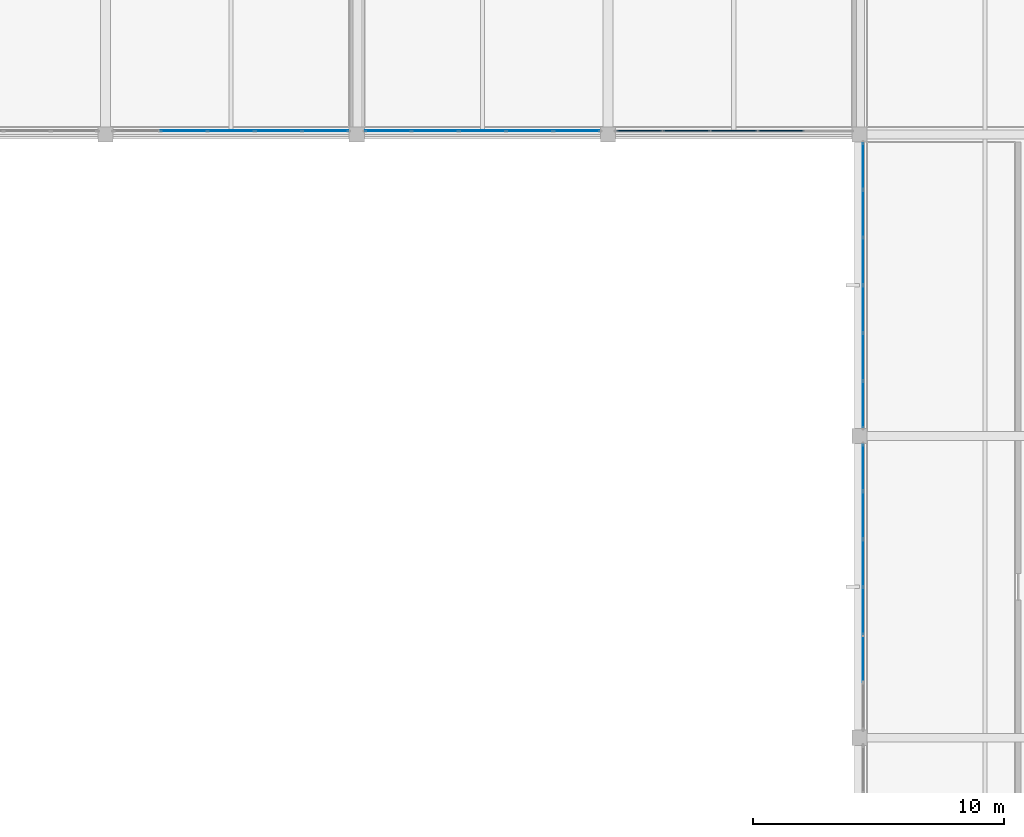
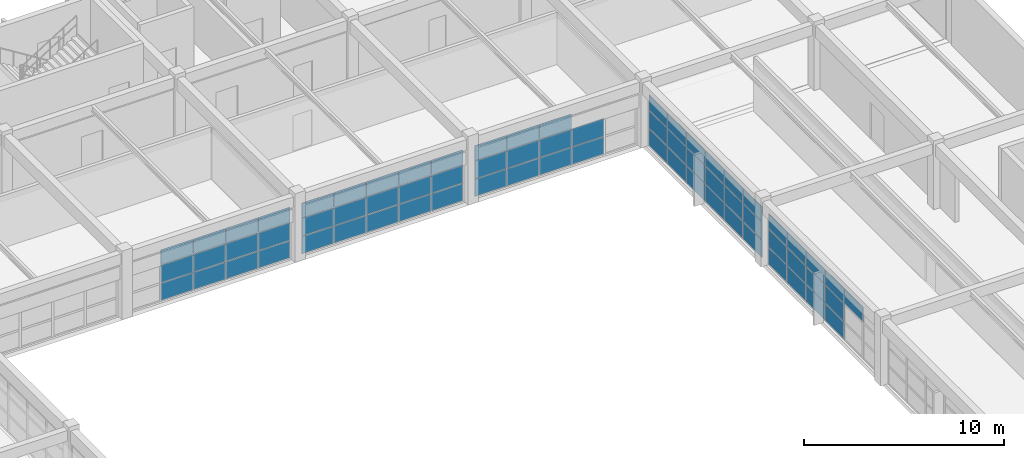
# One storey, part 17 of 28: 69 plates, 5 elements without a shape of their own.
"""IFC4 building model written with IfcOpenShell, lengths in metres."""

from ifc_helpers import new_model, si_unit, direction, frame, origin, origin_2d, place, context, subcontext, project, spatial, rectangle, extrude, material, layer, layer_set, type_object, element, aggregate, save


model = new_model("IFC4")

# Units and contexts
model_context = context("Model", 3, precision=1e-05, world=origin(), true_north=direction((0.0, 1.0)))
body_context = subcontext(model_context, "Body", "Model", "MODEL_VIEW")
ifc_project = project(units=[si_unit("LENGTHUNIT", "METRE"), si_unit("AREAUNIT", "SQUARE_METRE"), si_unit("VOLUMEUNIT", "CUBIC_METRE"), si_unit("PLANEANGLEUNIT", "RADIAN"), si_unit("MASSUNIT", "GRAM", prefix="KILO")], contexts=[model_context])

# Site, building, storey
site_placement = place(None, origin())
site = spatial("IfcSite", under=ifc_project, at=site_placement, CompositionType="ELEMENT")
building_placement = place(site_placement, origin())
building = spatial("IfcBuilding", under=site, at=building_placement, Name="Kivolera Central Railway Station", CompositionType="ELEMENT")
storey_placement = place(building_placement, frame((0.0, 0.0, 18.60009765625)))
storey = spatial("IfcBuildingStorey", under=building, at=storey_placement, Name="L04", CompositionType="ELEMENT", Elevation=18.60009765625)

# Curtain wall, plates
ifc_material_1 = material(Name="Anodised aluminium", Category="aluminium")
ifc_layer_1 = layer(ifc_material_1, 0.179931640625, Name="Anodised aluminium")
ifc_layer_set_1 = layer_set([ifc_layer_1], Name="Anodised aluminium")
curtain_wall_type_1 = type_object("IfcCurtainWallType", Name="CW-SYS-32", PredefinedType="NOTDEFINED", material=ifc_layer_set_1)
curtain_wall_1_placement = place(storey_placement, origin())
curtain_wall_1 = element("IfcCurtainWall", 1, at=curtain_wall_1_placement, inside=storey, type_object=curtain_wall_type_1, Name="L04 Curtain Wall CW-L04-CRTE-H", PredefinedType="NOTDEFINED")
ifc_material_2 = material(Name="Double low-E laminated glass", Category="glass")
ifc_layer_2 = layer(ifc_material_2, 0.030029296875, Name="Double low-E laminated glass")
ifc_layer_set_2 = layer_set([ifc_layer_2], Name="Double low-E laminated glass")
plate_type_1 = type_object("IfcPlateType", Name="CWP-GLZ-2", PredefinedType="CURTAIN_PANEL", material=ifc_layer_set_2)
plate_1_placement = place(storey_placement, frame((178.14501953125, 93.1474609375, 2.24951171875), z_axis=(0.0, 0.0, 1.0), x_axis=(0.0, 1.0, 0.0)))
plate_1 = element("IfcPlate", 2, at=plate_1_placement, type_object=plate_type_1, Name="CW-32 panel 2.3", PredefinedType="CURTAIN_PANEL", context=body_context, shape_type="SweptSolid", body=[
    extrude(rectangle(XDim=1.86572265625, YDim=0.030029296875, at=origin_2d()), origin(), (0.0, 0.0, 1.0), 0.890380859375),
])
plate_2_placement = place(storey_placement, frame((178.14501953125, 95.049072265625, 0.0478515625), z_axis=(0.0, 0.0, 1.0), x_axis=(0.0, 1.0, 0.0)))
plate_2 = element("IfcPlate", 3, at=plate_2_placement, type_object=plate_type_1, Name="CW-32 panel 3.1", PredefinedType="CURTAIN_PANEL", context=body_context, shape_type="SweptSolid", body=[
    extrude(rectangle(XDim=1.86572265625, YDim=0.030029296875, at=origin_2d()), origin(), (0.0, 0.0, 1.0), 1.0498046875),
])
plate_3_placement = place(storey_placement, frame((178.14501953125, 95.049072265625, 1.1337890625), z_axis=(0.0, 0.0, 1.0), x_axis=(0.0, 1.0, 0.0)))
plate_3 = element("IfcPlate", 4, at=plate_3_placement, type_object=plate_type_1, Name="CW-32 panel 3.2", PredefinedType="CURTAIN_PANEL", context=body_context, shape_type="SweptSolid", body=[
    extrude(rectangle(XDim=1.86572265625, YDim=0.030029296875, at=origin_2d()), origin(), (0.0, 0.0, 1.0), 1.079833984375),
])
plate_4_placement = place(storey_placement, frame((178.14501953125, 95.049072265625, 2.24951171875), z_axis=(0.0, 0.0, 1.0), x_axis=(0.0, 1.0, 0.0)))
plate_4 = element("IfcPlate", 5, at=plate_4_placement, type_object=plate_type_1, Name="CW-32 panel 3.3", PredefinedType="CURTAIN_PANEL", context=body_context, shape_type="SweptSolid", body=[
    extrude(rectangle(XDim=1.86572265625, YDim=0.030029296875, at=origin_2d()), origin(), (0.0, 0.0, 1.0), 0.890380859375),
])
plate_5_placement = place(storey_placement, frame((178.14501953125, 96.950927734375, 0.0478515625), z_axis=(0.0, 0.0, 1.0), x_axis=(0.0, 1.0, 0.0)))
plate_5 = element("IfcPlate", 6, at=plate_5_placement, type_object=plate_type_1, Name="CW-32 panel 4.1", PredefinedType="CURTAIN_PANEL", context=body_context, shape_type="SweptSolid", body=[
    extrude(rectangle(XDim=1.86572265625, YDim=0.030029296875, at=origin_2d()), origin(), (0.0, 0.0, 1.0), 1.0498046875),
])
plate_6_placement = place(storey_placement, frame((178.14501953125, 96.950927734375, 1.1337890625), z_axis=(0.0, 0.0, 1.0), x_axis=(0.0, 1.0, 0.0)))
plate_6 = element("IfcPlate", 7, at=plate_6_placement, type_object=plate_type_1, Name="CW-32 panel 4.2", PredefinedType="CURTAIN_PANEL", context=body_context, shape_type="SweptSolid", body=[
    extrude(rectangle(XDim=1.86572265625, YDim=0.030029296875, at=origin_2d()), origin(), (0.0, 0.0, 1.0), 1.079833984375),
])
plate_7_placement = place(storey_placement, frame((178.14501953125, 96.950927734375, 2.24951171875), z_axis=(0.0, 0.0, 1.0), x_axis=(0.0, 1.0, 0.0)))
plate_7 = element("IfcPlate", 8, at=plate_7_placement, type_object=plate_type_1, Name="CW-32 panel 4.3", PredefinedType="CURTAIN_PANEL", context=body_context, shape_type="SweptSolid", body=[
    extrude(rectangle(XDim=1.86572265625, YDim=0.030029296875, at=origin_2d()), origin(), (0.0, 0.0, 1.0), 0.890380859375),
])
plate_8_placement = place(storey_placement, frame((178.14501953125, 98.8525390625, 0.0478515625), z_axis=(0.0, 0.0, 1.0), x_axis=(0.0, 1.0, 0.0)))
plate_8 = element("IfcPlate", 9, at=plate_8_placement, type_object=plate_type_1, Name="CW-32 panel 5.1", PredefinedType="CURTAIN_PANEL", context=body_context, shape_type="SweptSolid", body=[
    extrude(rectangle(XDim=1.86572265625, YDim=0.030029296875, at=origin_2d()), origin(), (0.0, 0.0, 1.0), 1.0498046875),
])
plate_9_placement = place(storey_placement, frame((178.14501953125, 98.8525390625, 1.1337890625), z_axis=(0.0, 0.0, 1.0), x_axis=(0.0, 1.0, 0.0)))
plate_9 = element("IfcPlate", 10, at=plate_9_placement, type_object=plate_type_1, Name="CW-32 panel 5.2", PredefinedType="CURTAIN_PANEL", context=body_context, shape_type="SweptSolid", body=[
    extrude(rectangle(XDim=1.86572265625, YDim=0.030029296875, at=origin_2d()), origin(), (0.0, 0.0, 1.0), 1.079833984375),
])
plate_10_placement = place(storey_placement, frame((178.14501953125, 98.8525390625, 2.24951171875), z_axis=(0.0, 0.0, 1.0), x_axis=(0.0, 1.0, 0.0)))
plate_10 = element("IfcPlate", 11, at=plate_10_placement, type_object=plate_type_1, Name="CW-32 panel 5.3", PredefinedType="CURTAIN_PANEL", context=body_context, shape_type="SweptSolid", body=[
    extrude(rectangle(XDim=1.86572265625, YDim=0.030029296875, at=origin_2d()), origin(), (0.0, 0.0, 1.0), 0.890380859375),
])
plate_11_placement = place(storey_placement, frame((178.14501953125, 100.7392578125, 0.0478515625), z_axis=(0.0, 0.0, 1.0), x_axis=(0.0, 1.0, 0.0)))
plate_11 = element("IfcPlate", 12, at=plate_11_placement, type_object=plate_type_1, Name="CW-32 panel 6.1", PredefinedType="CURTAIN_PANEL", context=body_context, shape_type="SweptSolid", body=[
    extrude(rectangle(XDim=1.835693359375, YDim=0.030029296875, at=origin_2d()), origin(), (0.0, 0.0, 1.0), 1.0498046875),
])
plate_12_placement = place(storey_placement, frame((178.14501953125, 100.7392578125, 1.1337890625), z_axis=(0.0, 0.0, 1.0), x_axis=(0.0, 1.0, 0.0)))
plate_12 = element("IfcPlate", 13, at=plate_12_placement, type_object=plate_type_1, Name="CW-32 panel 6.2", PredefinedType="CURTAIN_PANEL", context=body_context, shape_type="SweptSolid", body=[
    extrude(rectangle(XDim=1.835693359375, YDim=0.030029296875, at=origin_2d()), origin(), (0.0, 0.0, 1.0), 1.079833984375),
])
plate_13_placement = place(storey_placement, frame((178.14501953125, 100.7392578125, 2.24951171875), z_axis=(0.0, 0.0, 1.0), x_axis=(0.0, 1.0, 0.0)))
plate_13 = element("IfcPlate", 14, at=plate_13_placement, type_object=plate_type_1, Name="CW-32 panel 6.3", PredefinedType="CURTAIN_PANEL", context=body_context, shape_type="SweptSolid", body=[
    extrude(rectangle(XDim=1.835693359375, YDim=0.030029296875, at=origin_2d()), origin(), (0.0, 0.0, 1.0), 0.890380859375),
])
aggregate(curtain_wall_1, [plate_1, plate_2, plate_3, plate_4, plate_5, plate_6, plate_7, plate_8, plate_9, plate_10, plate_11, plate_12, plate_13])

curtain_wall_2_placement = place(storey_placement, origin())
curtain_wall_2 = element("IfcCurtainWall", 15, at=curtain_wall_2_placement, inside=storey, type_object=curtain_wall_type_1, Name="L04 Curtain Wall CW-L04-CRTE-J", PredefinedType="NOTDEFINED")
plate_14_placement = place(storey_placement, frame((178.14501953125, 103.2607421875, 0.0478515625), z_axis=(0.0, 0.0, 1.0), x_axis=(0.0, 1.0, 0.0)))
plate_14 = element("IfcPlate", 16, at=plate_14_placement, type_object=plate_type_1, Name="CW-32 panel 1.1", PredefinedType="CURTAIN_PANEL", context=body_context, shape_type="SweptSolid", body=[
    extrude(rectangle(XDim=1.835693359375, YDim=0.030029296875, at=origin_2d()), origin(), (0.0, 0.0, 1.0), 1.0498046875),
])
plate_15_placement = place(storey_placement, frame((178.14501953125, 103.2607421875, 1.1337890625), z_axis=(0.0, 0.0, 1.0), x_axis=(0.0, 1.0, 0.0)))
plate_15 = element("IfcPlate", 17, at=plate_15_placement, type_object=plate_type_1, Name="CW-32 panel 1.2", PredefinedType="CURTAIN_PANEL", context=body_context, shape_type="SweptSolid", body=[
    extrude(rectangle(XDim=1.835693359375, YDim=0.030029296875, at=origin_2d()), origin(), (0.0, 0.0, 1.0), 1.079833984375),
])
plate_16_placement = place(storey_placement, frame((178.14501953125, 103.2607421875, 2.24951171875), z_axis=(0.0, 0.0, 1.0), x_axis=(0.0, 1.0, 0.0)))
plate_16 = element("IfcPlate", 18, at=plate_16_placement, type_object=plate_type_1, Name="CW-32 panel 1.3", PredefinedType="CURTAIN_PANEL", context=body_context, shape_type="SweptSolid", body=[
    extrude(rectangle(XDim=1.835693359375, YDim=0.030029296875, at=origin_2d()), origin(), (0.0, 0.0, 1.0), 0.890380859375),
])
plate_17_placement = place(storey_placement, frame((178.14501953125, 105.1474609375, 0.0478515625), z_axis=(0.0, 0.0, 1.0), x_axis=(0.0, 1.0, 0.0)))
plate_17 = element("IfcPlate", 19, at=plate_17_placement, type_object=plate_type_1, Name="CW-32 panel 2.1", PredefinedType="CURTAIN_PANEL", context=body_context, shape_type="SweptSolid", body=[
    extrude(rectangle(XDim=1.86572265625, YDim=0.030029296875, at=origin_2d()), origin(), (0.0, 0.0, 1.0), 1.0498046875),
])
plate_18_placement = place(storey_placement, frame((178.14501953125, 105.1474609375, 1.1337890625), z_axis=(0.0, 0.0, 1.0), x_axis=(0.0, 1.0, 0.0)))
plate_18 = element("IfcPlate", 20, at=plate_18_placement, type_object=plate_type_1, Name="CW-32 panel 2.2", PredefinedType="CURTAIN_PANEL", context=body_context, shape_type="SweptSolid", body=[
    extrude(rectangle(XDim=1.86572265625, YDim=0.030029296875, at=origin_2d()), origin(), (0.0, 0.0, 1.0), 1.079833984375),
])
plate_19_placement = place(storey_placement, frame((178.14501953125, 105.1474609375, 2.24951171875), z_axis=(0.0, 0.0, 1.0), x_axis=(0.0, 1.0, 0.0)))
plate_19 = element("IfcPlate", 21, at=plate_19_placement, type_object=plate_type_1, Name="CW-32 panel 2.3", PredefinedType="CURTAIN_PANEL", context=body_context, shape_type="SweptSolid", body=[
    extrude(rectangle(XDim=1.86572265625, YDim=0.030029296875, at=origin_2d()), origin(), (0.0, 0.0, 1.0), 0.890380859375),
])
plate_20_placement = place(storey_placement, frame((178.14501953125, 107.049072265625, 0.0478515625), z_axis=(0.0, 0.0, 1.0), x_axis=(0.0, 1.0, 0.0)))
plate_20 = element("IfcPlate", 22, at=plate_20_placement, type_object=plate_type_1, Name="CW-32 panel 3.1", PredefinedType="CURTAIN_PANEL", context=body_context, shape_type="SweptSolid", body=[
    extrude(rectangle(XDim=1.86572265625, YDim=0.030029296875, at=origin_2d()), origin(), (0.0, 0.0, 1.0), 1.0498046875),
])
plate_21_placement = place(storey_placement, frame((178.14501953125, 107.049072265625, 1.1337890625), z_axis=(0.0, 0.0, 1.0), x_axis=(0.0, 1.0, 0.0)))
plate_21 = element("IfcPlate", 23, at=plate_21_placement, type_object=plate_type_1, Name="CW-32 panel 3.2", PredefinedType="CURTAIN_PANEL", context=body_context, shape_type="SweptSolid", body=[
    extrude(rectangle(XDim=1.86572265625, YDim=0.030029296875, at=origin_2d()), origin(), (0.0, 0.0, 1.0), 1.079833984375),
])
plate_22_placement = place(storey_placement, frame((178.14501953125, 107.049072265625, 2.24951171875), z_axis=(0.0, 0.0, 1.0), x_axis=(0.0, 1.0, 0.0)))
plate_22 = element("IfcPlate", 24, at=plate_22_placement, type_object=plate_type_1, Name="CW-32 panel 3.3", PredefinedType="CURTAIN_PANEL", context=body_context, shape_type="SweptSolid", body=[
    extrude(rectangle(XDim=1.86572265625, YDim=0.030029296875, at=origin_2d()), origin(), (0.0, 0.0, 1.0), 0.890380859375),
])
plate_23_placement = place(storey_placement, frame((178.14501953125, 108.950927734375, 0.0478515625), z_axis=(0.0, 0.0, 1.0), x_axis=(0.0, 1.0, 0.0)))
plate_23 = element("IfcPlate", 25, at=plate_23_placement, type_object=plate_type_1, Name="CW-32 panel 4.1", PredefinedType="CURTAIN_PANEL", context=body_context, shape_type="SweptSolid", body=[
    extrude(rectangle(XDim=1.86572265625, YDim=0.030029296875, at=origin_2d()), origin(), (0.0, 0.0, 1.0), 1.0498046875),
])
plate_24_placement = place(storey_placement, frame((178.14501953125, 108.950927734375, 1.1337890625), z_axis=(0.0, 0.0, 1.0), x_axis=(0.0, 1.0, 0.0)))
plate_24 = element("IfcPlate", 26, at=plate_24_placement, type_object=plate_type_1, Name="CW-32 panel 4.2", PredefinedType="CURTAIN_PANEL", context=body_context, shape_type="SweptSolid", body=[
    extrude(rectangle(XDim=1.86572265625, YDim=0.030029296875, at=origin_2d()), origin(), (0.0, 0.0, 1.0), 1.079833984375),
])
plate_25_placement = place(storey_placement, frame((178.14501953125, 108.950927734375, 2.24951171875), z_axis=(0.0, 0.0, 1.0), x_axis=(0.0, 1.0, 0.0)))
plate_25 = element("IfcPlate", 27, at=plate_25_placement, type_object=plate_type_1, Name="CW-32 panel 4.3", PredefinedType="CURTAIN_PANEL", context=body_context, shape_type="SweptSolid", body=[
    extrude(rectangle(XDim=1.86572265625, YDim=0.030029296875, at=origin_2d()), origin(), (0.0, 0.0, 1.0), 0.890380859375),
])
plate_26_placement = place(storey_placement, frame((178.14501953125, 110.8525390625, 0.0478515625), z_axis=(0.0, 0.0, 1.0), x_axis=(0.0, 1.0, 0.0)))
plate_26 = element("IfcPlate", 28, at=plate_26_placement, type_object=plate_type_1, Name="CW-32 panel 5.1", PredefinedType="CURTAIN_PANEL", context=body_context, shape_type="SweptSolid", body=[
    extrude(rectangle(XDim=1.86572265625, YDim=0.030029296875, at=origin_2d()), origin(), (0.0, 0.0, 1.0), 1.0498046875),
])
plate_27_placement = place(storey_placement, frame((178.14501953125, 110.8525390625, 1.1337890625), z_axis=(0.0, 0.0, 1.0), x_axis=(0.0, 1.0, 0.0)))
plate_27 = element("IfcPlate", 29, at=plate_27_placement, type_object=plate_type_1, Name="CW-32 panel 5.2", PredefinedType="CURTAIN_PANEL", context=body_context, shape_type="SweptSolid", body=[
    extrude(rectangle(XDim=1.86572265625, YDim=0.030029296875, at=origin_2d()), origin(), (0.0, 0.0, 1.0), 1.079833984375),
])
plate_28_placement = place(storey_placement, frame((178.14501953125, 110.8525390625, 2.24951171875), z_axis=(0.0, 0.0, 1.0), x_axis=(0.0, 1.0, 0.0)))
plate_28 = element("IfcPlate", 30, at=plate_28_placement, type_object=plate_type_1, Name="CW-32 panel 5.3", PredefinedType="CURTAIN_PANEL", context=body_context, shape_type="SweptSolid", body=[
    extrude(rectangle(XDim=1.86572265625, YDim=0.030029296875, at=origin_2d()), origin(), (0.0, 0.0, 1.0), 0.890380859375),
])
plate_29_placement = place(storey_placement, frame((178.14501953125, 112.7392578125, 0.0478515625), z_axis=(0.0, 0.0, 1.0), x_axis=(0.0, 1.0, 0.0)))
plate_29 = element("IfcPlate", 31, at=plate_29_placement, type_object=plate_type_1, Name="CW-32 panel 6.1", PredefinedType="CURTAIN_PANEL", context=body_context, shape_type="SweptSolid", body=[
    extrude(rectangle(XDim=1.835693359375, YDim=0.030029296875, at=origin_2d()), origin(), (0.0, 0.0, 1.0), 1.0498046875),
])
plate_30_placement = place(storey_placement, frame((178.14501953125, 112.7392578125, 1.1337890625), z_axis=(0.0, 0.0, 1.0), x_axis=(0.0, 1.0, 0.0)))
plate_30 = element("IfcPlate", 32, at=plate_30_placement, type_object=plate_type_1, Name="CW-32 panel 6.2", PredefinedType="CURTAIN_PANEL", context=body_context, shape_type="SweptSolid", body=[
    extrude(rectangle(XDim=1.835693359375, YDim=0.030029296875, at=origin_2d()), origin(), (0.0, 0.0, 1.0), 1.079833984375),
])
plate_31_placement = place(storey_placement, frame((178.14501953125, 112.7392578125, 2.24951171875), z_axis=(0.0, 0.0, 1.0), x_axis=(0.0, 1.0, 0.0)))
plate_31 = element("IfcPlate", 33, at=plate_31_placement, type_object=plate_type_1, Name="CW-32 panel 6.3", PredefinedType="CURTAIN_PANEL", context=body_context, shape_type="SweptSolid", body=[
    extrude(rectangle(XDim=1.835693359375, YDim=0.030029296875, at=origin_2d()), origin(), (0.0, 0.0, 1.0), 0.890380859375),
])
aggregate(curtain_wall_2, [plate_14, plate_15, plate_16, plate_17, plate_18, plate_19, plate_20, plate_21, plate_22, plate_23, plate_24, plate_25, plate_26, plate_27, plate_28, plate_29, plate_30, plate_31])

ifc_layer_3 = layer(ifc_material_1, 0.179931640625, Name="Anodised aluminium")
ifc_layer_set_3 = layer_set([ifc_layer_3], Name="Anodised aluminium")
curtain_wall_type_2 = type_object("IfcCurtainWallType", Name="CW-SYS-31", PredefinedType="NOTDEFINED", material=ifc_layer_set_3)
curtain_wall_3_placement = place(storey_placement, origin())
curtain_wall_3 = element("IfcCurtainWall", 34, at=curtain_wall_3_placement, inside=storey, type_object=curtain_wall_type_2, Name="L04 Curtain Wall CW-L04-CRTN-148", PredefinedType="NOTDEFINED")
ifc_layer_4 = layer(ifc_material_2, 0.033935546875, Name="Double low-E laminated glass")
ifc_layer_set_4 = layer_set([ifc_layer_4], Name="Double low-E laminated glass")
plate_type_2 = type_object("IfcPlateType", Name="CWP-GLZ-3", PredefinedType="CURTAIN_PANEL", material=ifc_layer_set_4)
plate_32_placement = place(storey_placement, frame((156.7490234375, 114.14501953125, 0.0478515625), z_axis=(0.0, 0.0, 1.0), x_axis=(-1.0, 0.0, 0.0)))
plate_32 = element("IfcPlate", 35, at=plate_32_placement, type_object=plate_type_2, Name="CW-31 panel 1.1", PredefinedType="CURTAIN_PANEL", context=body_context, shape_type="SweptSolid", body=[
    extrude(rectangle(XDim=1.81591796875, YDim=0.033935546875, at=origin_2d()), origin(), (0.0, 0.0, 1.0), 1.0498046875),
])
plate_33_placement = place(storey_placement, frame((156.7490234375, 114.14501953125, 1.1337890625), z_axis=(0.0, 0.0, 1.0), x_axis=(-1.0, 0.0, 0.0)))
plate_33 = element("IfcPlate", 36, at=plate_33_placement, type_object=plate_type_2, Name="CW-31 panel 1.2", PredefinedType="CURTAIN_PANEL", context=body_context, shape_type="SweptSolid", body=[
    extrude(rectangle(XDim=1.81591796875, YDim=0.033935546875, at=origin_2d()), origin(), (0.0, 0.0, 1.0), 1.079833984375),
])
plate_34_placement = place(storey_placement, frame((156.7490234375, 114.14501953125, 2.24951171875), z_axis=(0.0, 0.0, 1.0), x_axis=(-1.0, 0.0, 0.0)))
plate_34 = element("IfcPlate", 37, at=plate_34_placement, type_object=plate_type_2, Name="CW-31 panel 1.3", PredefinedType="CURTAIN_PANEL", context=body_context, shape_type="SweptSolid", body=[
    extrude(rectangle(XDim=1.81591796875, YDim=0.033935546875, at=origin_2d()), origin(), (0.0, 0.0, 1.0), 0.890380859375),
])
plate_35_placement = place(storey_placement, frame((154.882080078125, 114.14501953125, 0.0478515625), z_axis=(0.0, 0.0, 1.0), x_axis=(-1.0, 0.0, 0.0)))
plate_35 = element("IfcPlate", 38, at=plate_35_placement, type_object=plate_type_2, Name="CW-31 panel 2.1", PredefinedType="CURTAIN_PANEL", context=body_context, shape_type="SweptSolid", body=[
    extrude(rectangle(XDim=1.845947265625, YDim=0.033935546875, at=origin_2d()), origin(), (0.0, 0.0, 1.0), 1.0498046875),
])
plate_36_placement = place(storey_placement, frame((154.882080078125, 114.14501953125, 1.1337890625), z_axis=(0.0, 0.0, 1.0), x_axis=(-1.0, 0.0, 0.0)))
plate_36 = element("IfcPlate", 39, at=plate_36_placement, type_object=plate_type_2, Name="CW-31 panel 2.2", PredefinedType="CURTAIN_PANEL", context=body_context, shape_type="SweptSolid", body=[
    extrude(rectangle(XDim=1.845947265625, YDim=0.033935546875, at=origin_2d()), origin(), (0.0, 0.0, 1.0), 1.079833984375),
])
plate_37_placement = place(storey_placement, frame((154.882080078125, 114.14501953125, 2.24951171875), z_axis=(0.0, 0.0, 1.0), x_axis=(-1.0, 0.0, 0.0)))
plate_37 = element("IfcPlate", 40, at=plate_37_placement, type_object=plate_type_2, Name="CW-31 panel 2.3", PredefinedType="CURTAIN_PANEL", context=body_context, shape_type="SweptSolid", body=[
    extrude(rectangle(XDim=1.845947265625, YDim=0.033935546875, at=origin_2d()), origin(), (0.0, 0.0, 1.0), 0.890380859375),
])
plate_38_placement = place(storey_placement, frame((153.0, 114.14501953125, 0.0478515625), z_axis=(0.0, 0.0, 1.0), x_axis=(-1.0, 0.0, 0.0)))
plate_38 = element("IfcPlate", 41, at=plate_38_placement, type_object=plate_type_2, Name="CW-31 panel 3.1", PredefinedType="CURTAIN_PANEL", context=body_context, shape_type="SweptSolid", body=[
    extrude(rectangle(XDim=1.845947265625, YDim=0.033935546875, at=origin_2d()), origin(), (0.0, 0.0, 1.0), 1.0498046875),
])
plate_39_placement = place(storey_placement, frame((153.0, 114.14501953125, 1.1337890625), z_axis=(0.0, 0.0, 1.0), x_axis=(-1.0, 0.0, 0.0)))
plate_39 = element("IfcPlate", 42, at=plate_39_placement, type_object=plate_type_2, Name="CW-31 panel 3.2", PredefinedType="CURTAIN_PANEL", context=body_context, shape_type="SweptSolid", body=[
    extrude(rectangle(XDim=1.845947265625, YDim=0.033935546875, at=origin_2d()), origin(), (0.0, 0.0, 1.0), 1.079833984375),
])
plate_40_placement = place(storey_placement, frame((153.0, 114.14501953125, 2.24951171875), z_axis=(0.0, 0.0, 1.0), x_axis=(-1.0, 0.0, 0.0)))
plate_40 = element("IfcPlate", 43, at=plate_40_placement, type_object=plate_type_2, Name="CW-31 panel 3.3", PredefinedType="CURTAIN_PANEL", context=body_context, shape_type="SweptSolid", body=[
    extrude(rectangle(XDim=1.845947265625, YDim=0.033935546875, at=origin_2d()), origin(), (0.0, 0.0, 1.0), 0.890380859375),
])
plate_41_placement = place(storey_placement, frame((151.117919921875, 114.14501953125, 0.0478515625), z_axis=(0.0, 0.0, 1.0), x_axis=(-1.0, 0.0, 0.0)))
plate_41 = element("IfcPlate", 44, at=plate_41_placement, type_object=plate_type_2, Name="CW-31 panel 4.1", PredefinedType="CURTAIN_PANEL", context=body_context, shape_type="SweptSolid", body=[
    extrude(rectangle(XDim=1.845947265625, YDim=0.033935546875, at=origin_2d()), origin(), (0.0, 0.0, 1.0), 1.0498046875),
])
plate_42_placement = place(storey_placement, frame((151.117919921875, 114.14501953125, 1.1337890625), z_axis=(0.0, 0.0, 1.0), x_axis=(-1.0, 0.0, 0.0)))
plate_42 = element("IfcPlate", 45, at=plate_42_placement, type_object=plate_type_2, Name="CW-31 panel 4.2", PredefinedType="CURTAIN_PANEL", context=body_context, shape_type="SweptSolid", body=[
    extrude(rectangle(XDim=1.845947265625, YDim=0.033935546875, at=origin_2d()), origin(), (0.0, 0.0, 1.0), 1.079833984375),
])
plate_43_placement = place(storey_placement, frame((151.117919921875, 114.14501953125, 2.24951171875), z_axis=(0.0, 0.0, 1.0), x_axis=(-1.0, 0.0, 0.0)))
plate_43 = element("IfcPlate", 46, at=plate_43_placement, type_object=plate_type_2, Name="CW-31 panel 4.3", PredefinedType="CURTAIN_PANEL", context=body_context, shape_type="SweptSolid", body=[
    extrude(rectangle(XDim=1.845947265625, YDim=0.033935546875, at=origin_2d()), origin(), (0.0, 0.0, 1.0), 0.890380859375),
])
aggregate(curtain_wall_3, [plate_32, plate_33, plate_34, plate_35, plate_36, plate_37, plate_38, plate_39, plate_40, plate_41, plate_42, plate_43])

curtain_wall_4_placement = place(storey_placement, origin())
curtain_wall_4 = element("IfcCurtainWall", 47, at=curtain_wall_4_placement, inside=storey, type_object=curtain_wall_type_2, Name="L04 Curtain Wall CW-L04-CRTN-158", PredefinedType="NOTDEFINED")
ifc_layer_5 = layer(ifc_material_2, 0.0380859375, Name="Double low-E laminated glass")
ifc_layer_set_5 = layer_set([ifc_layer_5], Name="Double low-E laminated glass")
plate_type_3 = type_object("IfcPlateType", Name="CWP-GLZ-4", PredefinedType="CURTAIN_PANEL", material=ifc_layer_set_5)
plate_44_placement = place(storey_placement, frame((166.7490234375, 114.14501953125, 0.0478515625), z_axis=(0.0, 0.0, 1.0), x_axis=(-1.0, 0.0, 0.0)))
plate_44 = element("IfcPlate", 48, at=plate_44_placement, type_object=plate_type_3, Name="CW-31 panel 1.1", PredefinedType="CURTAIN_PANEL", context=body_context, shape_type="SweptSolid", body=[
    extrude(rectangle(XDim=1.81591796875, YDim=0.0380859375, at=origin_2d()), origin(), (0.0, 0.0, 1.0), 1.0498046875),
])
plate_45_placement = place(storey_placement, frame((166.7490234375, 114.14501953125, 1.1337890625), z_axis=(0.0, 0.0, 1.0), x_axis=(-1.0, 0.0, 0.0)))
plate_45 = element("IfcPlate", 49, at=plate_45_placement, type_object=plate_type_3, Name="CW-31 panel 1.2", PredefinedType="CURTAIN_PANEL", context=body_context, shape_type="SweptSolid", body=[
    extrude(rectangle(XDim=1.81591796875, YDim=0.0380859375, at=origin_2d()), origin(), (0.0, 0.0, 1.0), 1.079833984375),
])
plate_46_placement = place(storey_placement, frame((166.7490234375, 114.14501953125, 2.24951171875), z_axis=(0.0, 0.0, 1.0), x_axis=(-1.0, 0.0, 0.0)))
plate_46 = element("IfcPlate", 50, at=plate_46_placement, type_object=plate_type_3, Name="CW-31 panel 1.3", PredefinedType="CURTAIN_PANEL", context=body_context, shape_type="SweptSolid", body=[
    extrude(rectangle(XDim=1.81591796875, YDim=0.0380859375, at=origin_2d()), origin(), (0.0, 0.0, 1.0), 0.890380859375),
])
plate_47_placement = place(storey_placement, frame((164.882080078125, 114.14501953125, 0.0478515625), z_axis=(0.0, 0.0, 1.0), x_axis=(-1.0, 0.0, 0.0)))
plate_47 = element("IfcPlate", 51, at=plate_47_placement, type_object=plate_type_3, Name="CW-31 panel 2.1", PredefinedType="CURTAIN_PANEL", context=body_context, shape_type="SweptSolid", body=[
    extrude(rectangle(XDim=1.845947265625, YDim=0.0380859375, at=origin_2d()), origin(), (0.0, 0.0, 1.0), 1.0498046875),
])
plate_48_placement = place(storey_placement, frame((164.882080078125, 114.14501953125, 1.1337890625), z_axis=(0.0, 0.0, 1.0), x_axis=(-1.0, 0.0, 0.0)))
plate_48 = element("IfcPlate", 52, at=plate_48_placement, type_object=plate_type_3, Name="CW-31 panel 2.2", PredefinedType="CURTAIN_PANEL", context=body_context, shape_type="SweptSolid", body=[
    extrude(rectangle(XDim=1.845947265625, YDim=0.0380859375, at=origin_2d()), origin(), (0.0, 0.0, 1.0), 1.079833984375),
])
plate_49_placement = place(storey_placement, frame((164.882080078125, 114.14501953125, 2.24951171875), z_axis=(0.0, 0.0, 1.0), x_axis=(-1.0, 0.0, 0.0)))
plate_49 = element("IfcPlate", 53, at=plate_49_placement, type_object=plate_type_3, Name="CW-31 panel 2.3", PredefinedType="CURTAIN_PANEL", context=body_context, shape_type="SweptSolid", body=[
    extrude(rectangle(XDim=1.845947265625, YDim=0.0380859375, at=origin_2d()), origin(), (0.0, 0.0, 1.0), 0.890380859375),
])
plate_50_placement = place(storey_placement, frame((163.0, 114.14501953125, 0.0478515625), z_axis=(0.0, 0.0, 1.0), x_axis=(-1.0, 0.0, 0.0)))
plate_50 = element("IfcPlate", 54, at=plate_50_placement, type_object=plate_type_3, Name="CW-31 panel 3.1", PredefinedType="CURTAIN_PANEL", context=body_context, shape_type="SweptSolid", body=[
    extrude(rectangle(XDim=1.845947265625, YDim=0.0380859375, at=origin_2d()), origin(), (0.0, 0.0, 1.0), 1.0498046875),
])
plate_51_placement = place(storey_placement, frame((163.0, 114.14501953125, 1.1337890625), z_axis=(0.0, 0.0, 1.0), x_axis=(-1.0, 0.0, 0.0)))
plate_51 = element("IfcPlate", 55, at=plate_51_placement, type_object=plate_type_3, Name="CW-31 panel 3.2", PredefinedType="CURTAIN_PANEL", context=body_context, shape_type="SweptSolid", body=[
    extrude(rectangle(XDim=1.845947265625, YDim=0.0380859375, at=origin_2d()), origin(), (0.0, 0.0, 1.0), 1.079833984375),
])
plate_52_placement = place(storey_placement, frame((163.0, 114.14501953125, 2.24951171875), z_axis=(0.0, 0.0, 1.0), x_axis=(-1.0, 0.0, 0.0)))
plate_52 = element("IfcPlate", 56, at=plate_52_placement, type_object=plate_type_3, Name="CW-31 panel 3.3", PredefinedType="CURTAIN_PANEL", context=body_context, shape_type="SweptSolid", body=[
    extrude(rectangle(XDim=1.845947265625, YDim=0.0380859375, at=origin_2d()), origin(), (0.0, 0.0, 1.0), 0.890380859375),
])
plate_53_placement = place(storey_placement, frame((161.117919921875, 114.14501953125, 0.0478515625), z_axis=(0.0, 0.0, 1.0), x_axis=(-1.0, 0.0, 0.0)))
plate_53 = element("IfcPlate", 57, at=plate_53_placement, type_object=plate_type_3, Name="CW-31 panel 4.1", PredefinedType="CURTAIN_PANEL", context=body_context, shape_type="SweptSolid", body=[
    extrude(rectangle(XDim=1.845947265625, YDim=0.0380859375, at=origin_2d()), origin(), (0.0, 0.0, 1.0), 1.0498046875),
])
plate_54_placement = place(storey_placement, frame((161.117919921875, 114.14501953125, 1.1337890625), z_axis=(0.0, 0.0, 1.0), x_axis=(-1.0, 0.0, 0.0)))
plate_54 = element("IfcPlate", 58, at=plate_54_placement, type_object=plate_type_3, Name="CW-31 panel 4.2", PredefinedType="CURTAIN_PANEL", context=body_context, shape_type="SweptSolid", body=[
    extrude(rectangle(XDim=1.845947265625, YDim=0.0380859375, at=origin_2d()), origin(), (0.0, 0.0, 1.0), 1.079833984375),
])
plate_55_placement = place(storey_placement, frame((161.117919921875, 114.14501953125, 2.24951171875), z_axis=(0.0, 0.0, 1.0), x_axis=(-1.0, 0.0, 0.0)))
plate_55 = element("IfcPlate", 59, at=plate_55_placement, type_object=plate_type_3, Name="CW-31 panel 4.3", PredefinedType="CURTAIN_PANEL", context=body_context, shape_type="SweptSolid", body=[
    extrude(rectangle(XDim=1.845947265625, YDim=0.0380859375, at=origin_2d()), origin(), (0.0, 0.0, 1.0), 0.890380859375),
])
plate_56_placement = place(storey_placement, frame((159.2509765625, 114.14501953125, 0.0478515625), z_axis=(0.0, 0.0, 1.0), x_axis=(-1.0, 0.0, 0.0)))
plate_56 = element("IfcPlate", 60, at=plate_56_placement, type_object=plate_type_3, Name="CW-31 panel 5.1", PredefinedType="CURTAIN_PANEL", context=body_context, shape_type="SweptSolid", body=[
    extrude(rectangle(XDim=1.81591796875, YDim=0.0380859375, at=origin_2d()), origin(), (0.0, 0.0, 1.0), 1.0498046875),
])
plate_57_placement = place(storey_placement, frame((159.2509765625, 114.14501953125, 1.1337890625), z_axis=(0.0, 0.0, 1.0), x_axis=(-1.0, 0.0, 0.0)))
plate_57 = element("IfcPlate", 61, at=plate_57_placement, type_object=plate_type_3, Name="CW-31 panel 5.2", PredefinedType="CURTAIN_PANEL", context=body_context, shape_type="SweptSolid", body=[
    extrude(rectangle(XDim=1.81591796875, YDim=0.0380859375, at=origin_2d()), origin(), (0.0, 0.0, 1.0), 1.079833984375),
])
plate_58_placement = place(storey_placement, frame((159.2509765625, 114.14501953125, 2.24951171875), z_axis=(0.0, 0.0, 1.0), x_axis=(-1.0, 0.0, 0.0)))
plate_58 = element("IfcPlate", 62, at=plate_58_placement, type_object=plate_type_3, Name="CW-31 panel 5.3", PredefinedType="CURTAIN_PANEL", context=body_context, shape_type="SweptSolid", body=[
    extrude(rectangle(XDim=1.81591796875, YDim=0.0380859375, at=origin_2d()), origin(), (0.0, 0.0, 1.0), 0.890380859375),
])
aggregate(curtain_wall_4, [plate_44, plate_45, plate_46, plate_47, plate_48, plate_49, plate_50, plate_51, plate_52, plate_53, plate_54, plate_55, plate_56, plate_57, plate_58])

curtain_wall_5_placement = place(storey_placement, origin())
curtain_wall_5 = element("IfcCurtainWall", 63, at=curtain_wall_5_placement, inside=storey, type_object=curtain_wall_type_2, Name="L04 Curtain Wall CW-L04-CRTN-168", PredefinedType="NOTDEFINED")
ifc_layer_6 = layer(ifc_material_2, 0.0419921875, Name="Double low-E laminated glass")
ifc_layer_set_6 = layer_set([ifc_layer_6], Name="Double low-E laminated glass")
plate_type_4 = type_object("IfcPlateType", Name="CWP-GLZ-5", PredefinedType="CURTAIN_PANEL", material=ifc_layer_set_6)
plate_59_placement = place(storey_placement, frame((174.882080078125, 114.14501953125, 0.0478515625), z_axis=(0.0, 0.0, 1.0), x_axis=(-1.0, 0.0, 0.0)))
plate_59 = element("IfcPlate", 64, at=plate_59_placement, type_object=plate_type_4, Name="CW-31 panel 2.1", PredefinedType="CURTAIN_PANEL", context=body_context, shape_type="SweptSolid", body=[
    extrude(rectangle(XDim=1.845947265625, YDim=0.0419921875, at=origin_2d()), origin(), (0.0, 0.0, 1.0), 1.0498046875),
])
plate_60_placement = place(storey_placement, frame((174.882080078125, 114.14501953125, 1.1337890625), z_axis=(0.0, 0.0, 1.0), x_axis=(-1.0, 0.0, 0.0)))
plate_60 = element("IfcPlate", 65, at=plate_60_placement, type_object=plate_type_4, Name="CW-31 panel 2.2", PredefinedType="CURTAIN_PANEL", context=body_context, shape_type="SweptSolid", body=[
    extrude(rectangle(XDim=1.845947265625, YDim=0.0419921875, at=origin_2d()), origin(), (0.0, 0.0, 1.0), 1.079833984375),
])
plate_61_placement = place(storey_placement, frame((173.0, 114.14501953125, 0.0478515625), z_axis=(0.0, 0.0, 1.0), x_axis=(-1.0, 0.0, 0.0)))
plate_61 = element("IfcPlate", 66, at=plate_61_placement, type_object=plate_type_4, Name="CW-31 panel 3.1", PredefinedType="CURTAIN_PANEL", context=body_context, shape_type="SweptSolid", body=[
    extrude(rectangle(XDim=1.845947265625, YDim=0.0419921875, at=origin_2d()), origin(), (0.0, 0.0, 1.0), 1.0498046875),
])
plate_62_placement = place(storey_placement, frame((173.0, 114.14501953125, 1.1337890625), z_axis=(0.0, 0.0, 1.0), x_axis=(-1.0, 0.0, 0.0)))
plate_62 = element("IfcPlate", 67, at=plate_62_placement, type_object=plate_type_4, Name="CW-31 panel 3.2", PredefinedType="CURTAIN_PANEL", context=body_context, shape_type="SweptSolid", body=[
    extrude(rectangle(XDim=1.845947265625, YDim=0.0419921875, at=origin_2d()), origin(), (0.0, 0.0, 1.0), 1.079833984375),
])
plate_63_placement = place(storey_placement, frame((173.0, 114.14501953125, 2.24951171875), z_axis=(0.0, 0.0, 1.0), x_axis=(-1.0, 0.0, 0.0)))
plate_63 = element("IfcPlate", 68, at=plate_63_placement, type_object=plate_type_4, Name="CW-31 panel 3.3", PredefinedType="CURTAIN_PANEL", context=body_context, shape_type="SweptSolid", body=[
    extrude(rectangle(XDim=1.845947265625, YDim=0.0419921875, at=origin_2d()), origin(), (0.0, 0.0, 1.0), 0.890380859375),
])
plate_64_placement = place(storey_placement, frame((171.117919921875, 114.14501953125, 0.0478515625), z_axis=(0.0, 0.0, 1.0), x_axis=(-1.0, 0.0, 0.0)))
plate_64 = element("IfcPlate", 69, at=plate_64_placement, type_object=plate_type_4, Name="CW-31 panel 4.1", PredefinedType="CURTAIN_PANEL", context=body_context, shape_type="SweptSolid", body=[
    extrude(rectangle(XDim=1.845947265625, YDim=0.0419921875, at=origin_2d()), origin(), (0.0, 0.0, 1.0), 1.0498046875),
])
plate_65_placement = place(storey_placement, frame((171.117919921875, 114.14501953125, 1.1337890625), z_axis=(0.0, 0.0, 1.0), x_axis=(-1.0, 0.0, 0.0)))
plate_65 = element("IfcPlate", 70, at=plate_65_placement, type_object=plate_type_4, Name="CW-31 panel 4.2", PredefinedType="CURTAIN_PANEL", context=body_context, shape_type="SweptSolid", body=[
    extrude(rectangle(XDim=1.845947265625, YDim=0.0419921875, at=origin_2d()), origin(), (0.0, 0.0, 1.0), 1.079833984375),
])
plate_66_placement = place(storey_placement, frame((171.117919921875, 114.14501953125, 2.24951171875), z_axis=(0.0, 0.0, 1.0), x_axis=(-1.0, 0.0, 0.0)))
plate_66 = element("IfcPlate", 71, at=plate_66_placement, type_object=plate_type_4, Name="CW-31 panel 4.3", PredefinedType="CURTAIN_PANEL", context=body_context, shape_type="SweptSolid", body=[
    extrude(rectangle(XDim=1.845947265625, YDim=0.0419921875, at=origin_2d()), origin(), (0.0, 0.0, 1.0), 0.890380859375),
])
plate_67_placement = place(storey_placement, frame((169.2509765625, 114.14501953125, 0.0478515625), z_axis=(0.0, 0.0, 1.0), x_axis=(-1.0, 0.0, 0.0)))
plate_67 = element("IfcPlate", 72, at=plate_67_placement, type_object=plate_type_4, Name="CW-31 panel 5.1", PredefinedType="CURTAIN_PANEL", context=body_context, shape_type="SweptSolid", body=[
    extrude(rectangle(XDim=1.81591796875, YDim=0.0419921875, at=origin_2d()), origin(), (0.0, 0.0, 1.0), 1.0498046875),
])
plate_68_placement = place(storey_placement, frame((169.2509765625, 114.14501953125, 1.1337890625), z_axis=(0.0, 0.0, 1.0), x_axis=(-1.0, 0.0, 0.0)))
plate_68 = element("IfcPlate", 73, at=plate_68_placement, type_object=plate_type_4, Name="CW-31 panel 5.2", PredefinedType="CURTAIN_PANEL", context=body_context, shape_type="SweptSolid", body=[
    extrude(rectangle(XDim=1.81591796875, YDim=0.0419921875, at=origin_2d()), origin(), (0.0, 0.0, 1.0), 1.079833984375),
])
plate_69_placement = place(storey_placement, frame((169.2509765625, 114.14501953125, 2.24951171875), z_axis=(0.0, 0.0, 1.0), x_axis=(-1.0, 0.0, 0.0)))
plate_69 = element("IfcPlate", 74, at=plate_69_placement, type_object=plate_type_4, Name="CW-31 panel 5.3", PredefinedType="CURTAIN_PANEL", context=body_context, shape_type="SweptSolid", body=[
    extrude(rectangle(XDim=1.81591796875, YDim=0.0419921875, at=origin_2d()), origin(), (0.0, 0.0, 1.0), 0.890380859375),
])
aggregate(curtain_wall_5, [plate_59, plate_60, plate_61, plate_62, plate_63, plate_64, plate_65, plate_66, plate_67, plate_68, plate_69])

save(model, "model.ifc")
